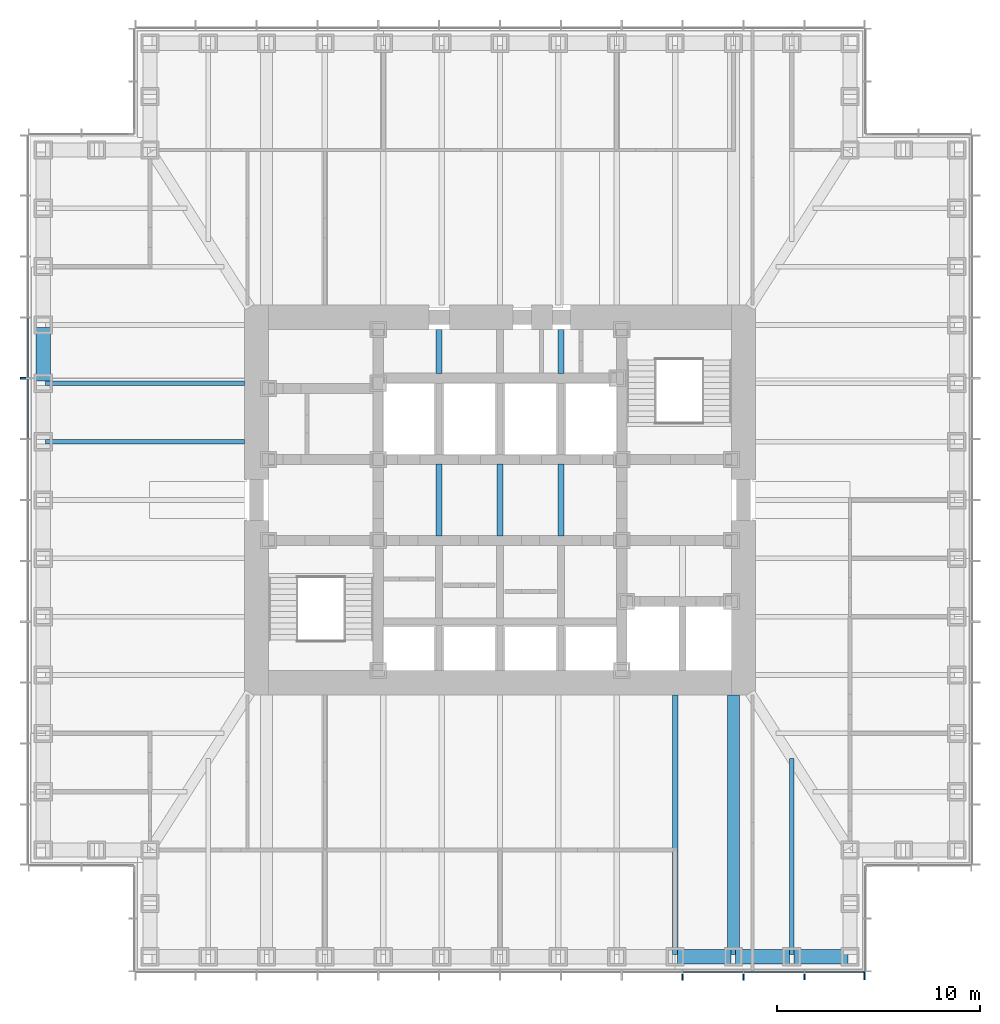
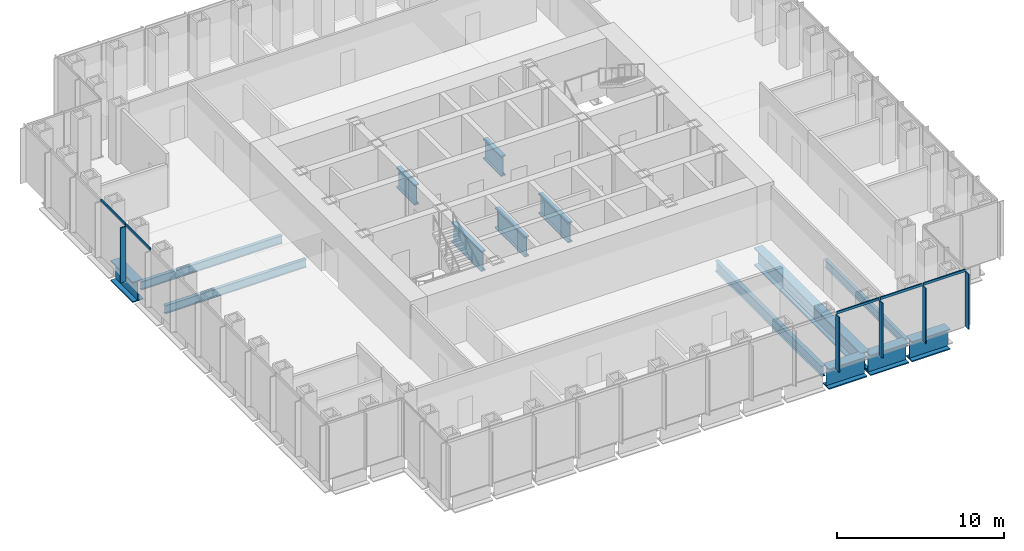
# One storey, part 3 of 17: 14 beams, 10 members, 2 elements without a shape of their own.
"""IFC4 building model written with IfcOpenShell, lengths in metres."""

from ifc_helpers import new_model, si_unit, direction, frame, origin, origin_2d, place, context, subcontext, project, spatial, rectangle, i_section, extrude, material, material_profile, profile_set, type_object, element, aggregate, save


model = new_model("IFC4")

# Units and contexts
model_context = context("Model", 3, precision=1e-05, world=origin(), true_north=direction((0.0, 1.0)))
body_context = subcontext(model_context, "Body", "Model", "MODEL_VIEW")
ifc_project = project(units=[si_unit("LENGTHUNIT", "METRE"), si_unit("AREAUNIT", "SQUARE_METRE"), si_unit("VOLUMEUNIT", "CUBIC_METRE"), si_unit("PLANEANGLEUNIT", "RADIAN"), si_unit("MASSUNIT", "GRAM", prefix="KILO")], contexts=[model_context])

# Site, building, storey
site_placement = place(None, origin())
site = spatial("IfcSite", under=ifc_project, at=site_placement, CompositionType="ELEMENT")
building_placement = place(site_placement, origin())
building = spatial("IfcBuilding", under=site, at=building_placement, Name="Daluyong Arena Tower", CompositionType="ELEMENT")
storey_placement = place(building_placement, frame((0.0, 0.0, 171.10009765625)))
storey = spatial("IfcBuildingStorey", under=building, at=storey_placement, Name="L38", CompositionType="ELEMENT", Elevation=171.10009765625)

# Curtain wall, members
ifc_material_1 = material(Name="Bronze anodised aluminium and glass", Category="aluminium")
curtain_wall_type = type_object("IfcCurtainWallType", Name="Curtain wall CW2", PredefinedType="USERDEFINED", material=ifc_material_1)
curtain_wall_1_placement = place(storey_placement, origin())
curtain_wall_1 = element("IfcCurtainWall", 1, at=curtain_wall_1_placement, inside=storey, type_object=curtain_wall_type, Name="curtain wall L38 S", ObjectType="UNITISED CURTAIN WALL", PredefinedType="USERDEFINED")
ifc_material_2 = material(Name="Bronze anodised aluminium fin", Category="aluminium")
ifc_material_profile_1 = material_profile(ifc_material_2, rectangle(XDim=0.39990234375, YDim=0.080078125, at=origin_2d()))
ifc_profile_set_1 = profile_set([ifc_material_profile_1], Name="Bronze anodised aluminium fin")
member_type_1 = type_object("IfcMemberType", Name="CW2 bronze fin 400x80", PredefinedType="MULLION", material=ifc_profile_set_1)
member_1_placement = place(storey_placement, frame((65.0, 56.550048828125, 0.0), z_axis=(0.0, 0.0, 1.0), x_axis=(0.0, 1.0, 0.0)))
member_1 = element("IfcMember", 2, at=member_1_placement, type_object=member_type_1, Name="curtain wall L38 S fin 10", PredefinedType="MULLION", context=body_context, shape_type="SweptSolid", body=[
    extrude(rectangle(XDim=0.39990234375, YDim=0.080078125, at=origin_2d()), origin(), (0.0, 0.0, 1.0), 4.02001953125),
])
member_2_placement = place(storey_placement, frame((68.0, 56.550048828125, 0.0), z_axis=(0.0, 0.0, 1.0), x_axis=(0.0, 1.0, 0.0)))
member_2 = element("IfcMember", 3, at=member_2_placement, type_object=member_type_1, Name="curtain wall L38 S fin 11", PredefinedType="MULLION", context=body_context, shape_type="SweptSolid", body=[
    extrude(rectangle(XDim=0.39990234375, YDim=0.080078125, at=origin_2d()), origin(), (0.0, 0.0, 1.0), 4.02001953125),
])
member_3_placement = place(storey_placement, frame((71.0, 56.550048828125, 0.0), z_axis=(0.0, 0.0, 1.0), x_axis=(0.0, 1.0, 0.0)))
member_3 = element("IfcMember", 4, at=member_3_placement, type_object=member_type_1, Name="curtain wall L38 S fin 12", PredefinedType="MULLION", context=body_context, shape_type="SweptSolid", body=[
    extrude(rectangle(XDim=0.39990234375, YDim=0.080078125, at=origin_2d()), origin(), (0.0, 0.0, 1.0), 4.02001953125),
])
member_4_placement = place(storey_placement, frame((73.9599609375, 56.550048828125, 0.0), z_axis=(0.0, 0.0, 1.0), x_axis=(0.0, 1.0, 0.0)))
member_4 = element("IfcMember", 5, at=member_4_placement, type_object=member_type_1, Name="curtain wall L38 S fin 13", PredefinedType="MULLION", context=body_context, shape_type="SweptSolid", body=[
    extrude(rectangle(XDim=0.39990234375, YDim=0.080078125, at=origin_2d()), origin(), (0.0, 0.0, 1.0), 4.02001953125),
])

# Curtain wall, member
curtain_wall_2_placement = place(storey_placement, origin())
curtain_wall_2 = element("IfcCurtainWall", 6, at=curtain_wall_2_placement, inside=storey, type_object=curtain_wall_type, Name="curtain wall L38 W", ObjectType="UNITISED CURTAIN WALL", PredefinedType="USERDEFINED")
member_5_placement = place(storey_placement, frame((32.550048828125, 86.0, 0.0), z_axis=(0.0, 0.0, 1.0), x_axis=(1.0, 0.0, 0.0)))
member_5 = element("IfcMember", 7, at=member_5_placement, type_object=member_type_1, Name="curtain wall L38 W fin 5", PredefinedType="MULLION", context=body_context, shape_type="SweptSolid", body=[
    extrude(rectangle(XDim=0.39990234375, YDim=0.080078125, at=origin_2d()), origin(), (0.0, 0.0, 1.0), 4.02001953125),
])

# Member
ifc_material_3 = material(Name="Bronze anodised aluminium", Category="aluminium")
ifc_material_profile_2 = material_profile(ifc_material_3, rectangle(XDim=0.080078125, YDim=0.179931640625, at=origin_2d()))
ifc_profile_set_2 = profile_set([ifc_material_profile_2], Name="Bronze anodised aluminium")
member_type_2 = type_object("IfcMemberType", Name="CW2 stack transom 180x80", PredefinedType="USERDEFINED", material=ifc_profile_set_2)
member_6_placement = place(storey_placement, frame((65.0400390625, 56.75, 4.10986328125), z_axis=(1.0, 0.0, 0.0), x_axis=(0.0, 1.0, 0.0)))
member_6 = element("IfcMember", 8, at=member_6_placement, type_object=member_type_2, Name="curtain wall L38 S transom 10", ObjectType="TRANSOM", PredefinedType="USERDEFINED", context=body_context, shape_type="SweptSolid", body=[
    extrude(rectangle(XDim=0.080078125, YDim=0.179931640625, at=origin_2d()), origin(), (0.0, 0.0, 1.0), 2.919921875),
])

member_7_placement = place(storey_placement, frame((68.0400390625, 56.75, 4.10986328125), z_axis=(1.0, 0.0, 0.0), x_axis=(0.0, 1.0, 0.0)))
member_7 = element("IfcMember", 9, at=member_7_placement, type_object=member_type_2, Name="curtain wall L38 S transom 11", ObjectType="TRANSOM", PredefinedType="USERDEFINED", context=body_context, shape_type="SweptSolid", body=[
    extrude(rectangle(XDim=0.080078125, YDim=0.179931640625, at=origin_2d()), origin(), (0.0, 0.0, 1.0), 2.919921875),
])

member_8_placement = place(storey_placement, frame((71.0400390625, 56.75, 4.10986328125), z_axis=(1.0, 0.0, 0.0), x_axis=(0.0, 1.0, 0.0)))
member_8 = element("IfcMember", 10, at=member_8_placement, type_object=member_type_2, Name="curtain wall L38 S transom 12", ObjectType="TRANSOM", PredefinedType="USERDEFINED", context=body_context, shape_type="SweptSolid", body=[
    extrude(rectangle(XDim=0.080078125, YDim=0.179931640625, at=origin_2d()), origin(), (0.0, 0.0, 1.0), 2.8798828125),
])

aggregate(curtain_wall_1, [member_1, member_2, member_3, member_4, member_6, member_7, member_8])

member_9_placement = place(storey_placement, frame((32.75, 88.9599609375, 4.10986328125), z_axis=(0.0, -1.0, 0.0), x_axis=(1.0, 0.0, 0.0)))
member_9 = element("IfcMember", 11, at=member_9_placement, type_object=member_type_2, Name="curtain wall L38 W transom 4", ObjectType="TRANSOM", PredefinedType="USERDEFINED", context=body_context, shape_type="SweptSolid", body=[
    extrude(rectangle(XDim=0.080078125, YDim=0.179931640625, at=origin_2d()), origin(), (0.0, 0.0, 1.0), 2.919921875),
])

member_10_placement = place(storey_placement, frame((32.75, 85.9599609375, 4.10986328125), z_axis=(0.0, -1.0, 0.0), x_axis=(1.0, 0.0, 0.0)))
member_10 = element("IfcMember", 12, at=member_10_placement, type_object=member_type_2, Name="curtain wall L38 W transom 5", ObjectType="TRANSOM", PredefinedType="USERDEFINED", context=body_context, shape_type="SweptSolid", body=[
    extrude(rectangle(XDim=0.080078125, YDim=0.179931640625, at=origin_2d()), origin(), (0.0, 0.0, 1.0), 2.919921875),
])

aggregate(curtain_wall_2, [member_5, member_9, member_10])

# Beams
ifc_material_4 = material(Name="Steel ASTM A572 Grade 50", Category="steel")
ifc_material_profile_3 = material_profile(ifc_material_4, i_section(OverallWidth=0.60009765625, OverallDepth=1.300048828125, WebThickness=0.035, FlangeThickness=0.07, at=origin_2d()))
ifc_profile_set_3 = profile_set([ifc_material_profile_3], Name="Steel ASTM A572 Grade 50")
beam_type_1 = type_object("IfcBeamType", Name="Floor beam TB1300X600", PredefinedType="BEAM", material=ifc_profile_set_3)
beam_1_placement = place(storey_placement, frame((67.5, 57.614990234375, -0.81005859375), z_axis=(0.0, 1.0, 0.0), x_axis=(-1.0, 0.0, 0.0)))
element("IfcBeam", 13, at=beam_1_placement, inside=storey, type_object=beam_type_1, Name="floor beam FB7", PredefinedType="BEAM", context=body_context, shape_type="SweptSolid", body=[
    extrude(i_section(OverallWidth=0.60009765625, OverallDepth=1.300048828125, WebThickness=0.035, FlangeThickness=0.07, at=origin_2d()), origin(), (0.0, 0.0, 1.0), 12.784912109375),
])
ifc_material_5 = material(Name="Steel ASTM A992 Grade 50", Category="steel")
ifc_material_profile_4 = material_profile(ifc_material_5, i_section(OverallWidth=0.22900390625, OverallDepth=0.612060546875, WebThickness=0.011962890625, FlangeThickness=0.01953125, at=origin_2d()))
ifc_profile_set_4 = profile_set([ifc_material_profile_4], Name="Steel ASTM A992 Grade 50")
beam_type_2 = type_object("IfcBeamType", Name="Floor beam W24X84", PredefinedType="BEAM", material=ifc_profile_set_4)
beam_2_placement = place(storey_placement, frame((70.375, 57.614990234375, -0.466064453125), z_axis=(0.0, 1.0, 0.0), x_axis=(-1.0, 0.0, 0.0)))
element("IfcBeam", 14, at=beam_2_placement, inside=storey, type_object=beam_type_2, Name="floor beam FB3", PredefinedType="BEAM", context=body_context, shape_type="SweptSolid", body=[
    extrude(i_section(OverallWidth=0.22900390625, OverallDepth=0.612060546875, WebThickness=0.011962890625, FlangeThickness=0.01953125, at=origin_2d()), origin(), (0.0, 0.0, 1.0), 9.65283203125),
])
for number, where, z_axis, x_axis, name in (
    (15, (33.614990234375, 85.75, -0.466064453125), (1.0, 0.0, 0.0), (0.0, 1.0, 0.0), "floor beam FB3"),
    (16, (33.614990234375, 82.875, -0.466064453125), (1.0, 0.0, 0.0), (0.0, 1.0, 0.0), "floor beam FB3"),
):
    element("IfcBeam", number, at=place(storey_placement, frame(where, z_axis=z_axis, x_axis=x_axis)), inside=storey, type_object=beam_type_2, Name=name, PredefinedType="BEAM", context=body_context, shape_type="SweptSolid", body=[
        extrude(i_section(OverallWidth=0.22900390625, OverallDepth=0.612060546875, WebThickness=0.011962890625, FlangeThickness=0.01953125, at=origin_2d()), origin(), (0.0, 0.0, 1.0), 9.784912109375),
    ])
ifc_material_6 = material(Name="Steel ASTM A992 Grade 50", Category="steel")
ifc_material_profile_5 = material_profile(ifc_material_6, i_section(OverallWidth=0.2666015625, OverallDepth=0.761962890625, WebThickness=0.014404296875, FlangeThickness=0.021484375, at=origin_2d()))
ifc_profile_set_5 = profile_set([ifc_material_profile_5], Name="Steel ASTM A992 Grade 50")
beam_type_3 = type_object("IfcBeamType", Name="Floor beam W30X116", PredefinedType="BEAM", material=ifc_profile_set_5)
beam_3_placement = place(storey_placement, frame((64.625, 57.614990234375, -0.541015625), z_axis=(0.0, 1.0, 0.0), x_axis=(-1.0, 0.0, 0.0)))
element("IfcBeam", 17, at=beam_3_placement, inside=storey, type_object=beam_type_3, Name="floor beam FB4", PredefinedType="BEAM", context=body_context, shape_type="SweptSolid", body=[
    extrude(i_section(OverallWidth=0.2666015625, OverallDepth=0.761962890625, WebThickness=0.014404296875, FlangeThickness=0.021484375, at=origin_2d()), origin(), (0.0, 0.0, 1.0), 12.784912109375),
])
ifc_material_7 = material(Name="Steel ASTM A572 Grade 50", Category="steel")
ifc_material_profile_6 = material_profile(ifc_material_7, i_section(OverallWidth=0.300048828125, OverallDepth=1.5, WebThickness=0.04, FlangeThickness=0.1, at=origin_2d()))
ifc_profile_set_6 = profile_set([ifc_material_profile_6], Name="Steel ASTM A572 Grade 50")
beam_type_4 = type_object("IfcBeamType", Name="Lift divider beam PG1500X300", PredefinedType="BEAM", material=ifc_profile_set_6)
beam_4_placement = place(storey_placement, frame((53.0, 78.22509765625, -0.91015625), z_axis=(0.0, 1.0, 0.0), x_axis=(-1.0, 0.0, 0.0)))
element("IfcBeam", 18, at=beam_4_placement, inside=storey, type_object=beam_type_4, Name="lift divider beam DB2", PredefinedType="BEAM", context=body_context, shape_type="SweptSolid", body=[
    extrude(i_section(OverallWidth=0.300048828125, OverallDepth=1.5, WebThickness=0.04, FlangeThickness=0.1, at=origin_2d()), origin(), (0.0, 0.0, 1.0), 3.5498046875),
])
beam_5_placement = place(storey_placement, frame((53.0, 86.22509765625, -0.91015625), z_axis=(0.0, 1.0, 0.0), x_axis=(-1.0, 0.0, 0.0)))
element("IfcBeam", 19, at=beam_5_placement, inside=storey, type_object=beam_type_4, Name="lift divider beam DB2", PredefinedType="BEAM", context=body_context, shape_type="SweptSolid", body=[
    extrude(i_section(OverallWidth=0.300048828125, OverallDepth=1.5, WebThickness=0.04, FlangeThickness=0.1, at=origin_2d()), origin(), (0.0, 0.0, 1.0), 2.1748046875),
])
for number, where, z_axis, x_axis, name in (
    (20, (56.0, 78.22509765625, -0.91015625), (0.0, 1.0, 0.0), (-1.0, 0.0, 0.0), "lift divider beam DB2"),
    (21, (59.0, 78.22509765625, -0.91015625), (0.0, 1.0, 0.0), (-1.0, 0.0, 0.0), "lift divider beam DB2"),
):
    element("IfcBeam", number, at=place(storey_placement, frame(where, z_axis=z_axis, x_axis=x_axis)), inside=storey, type_object=beam_type_4, Name=name, PredefinedType="BEAM", context=body_context, shape_type="SweptSolid", body=[
        extrude(i_section(OverallWidth=0.300048828125, OverallDepth=1.5, WebThickness=0.04, FlangeThickness=0.1, at=origin_2d()), origin(), (0.0, 0.0, 1.0), 3.5498046875),
    ])
beam_6_placement = place(storey_placement, frame((59.0, 86.22509765625, -0.91015625), z_axis=(0.0, 1.0, 0.0), x_axis=(-1.0, 0.0, 0.0)))
element("IfcBeam", 22, at=beam_6_placement, inside=storey, type_object=beam_type_4, Name="lift divider beam DB2", PredefinedType="BEAM", context=body_context, shape_type="SweptSolid", body=[
    extrude(i_section(OverallWidth=0.300048828125, OverallDepth=1.5, WebThickness=0.04, FlangeThickness=0.1, at=origin_2d()), origin(), (0.0, 0.0, 1.0), 2.1748046875),
])
ifc_material_8 = material(Name="Steel ASTM A572 Grade 50", Category="steel")
ifc_material_profile_7 = material_profile(ifc_material_8, i_section(OverallWidth=0.699951171875, OverallDepth=1.5, WebThickness=0.04, FlangeThickness=0.08, at=origin_2d()))
ifc_profile_set_7 = profile_set([ifc_material_profile_7], Name="Steel ASTM A572 Grade 50")
beam_type_5 = type_object("IfcBeamType", Name="Spandrel Z2 PG1500X700", PredefinedType="SPANDREL", material=ifc_profile_set_7)
for number, where, z_axis, x_axis, name in (
    (23, (64.739990234375, 57.5, -0.91015625), (1.0, 0.0, 0.0), (0.0, 1.0, 0.0), "spandrel z2 SB6"),
    (24, (67.614990234375, 57.5, -0.91015625), (1.0, 0.0, 0.0), (0.0, 1.0, 0.0), "spandrel z2 SB6"),
    (25, (70.489990234375, 57.5, -0.91015625), (1.0, 0.0, 0.0), (0.0, 1.0, 0.0), "spandrel z2 SB6"),
    (26, (33.5, 88.510009765625, -0.91015625), (0.0, -1.0, 0.0), (1.0, 0.0, 0.0), "spandrel z2 SB6"),
):
    element("IfcBeam", number, at=place(storey_placement, frame(where, z_axis=z_axis, x_axis=x_axis)), inside=storey, type_object=beam_type_5, Name=name, PredefinedType="SPANDREL", context=body_context, shape_type="SweptSolid", body=[
        extrude(i_section(OverallWidth=0.699951171875, OverallDepth=1.5, WebThickness=0.04, FlangeThickness=0.08, at=origin_2d()), origin(), (0.0, 0.0, 1.0), 2.64501953125),
    ])

save(model, "model.ifc")
